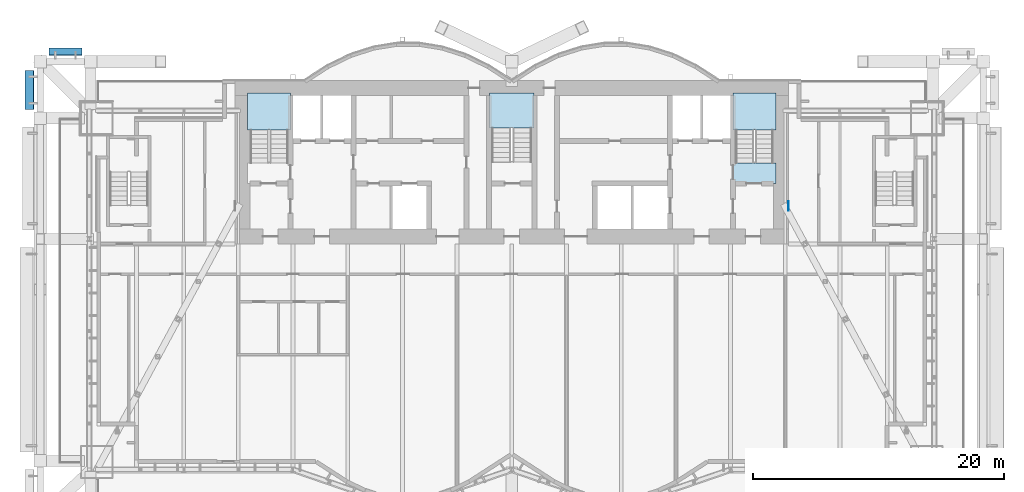
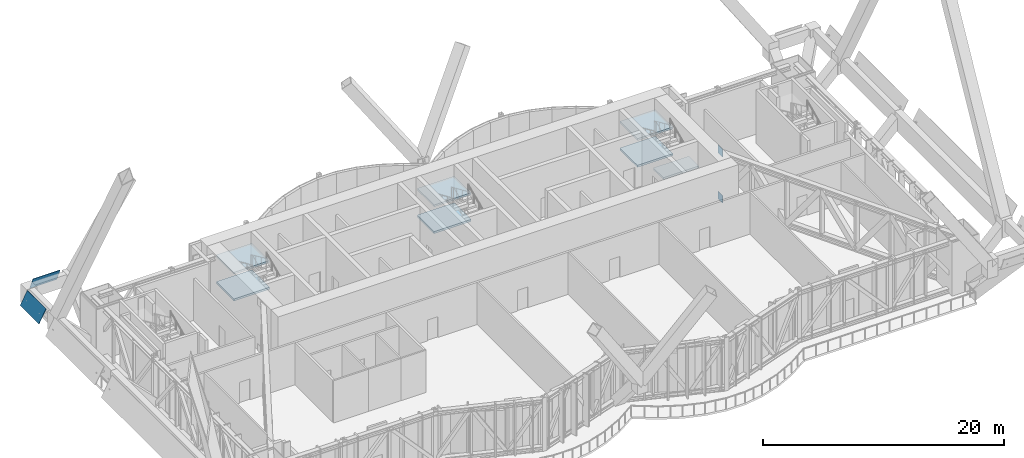
# One storey, part 21 of 30: 7 slabs, 4 plates, 3 elements without a shape of their own.
"""IFC4 building model written with IfcOpenShell, lengths in metres."""

from ifc_helpers import new_model, si_unit, direction, frame, origin, origin_2d, place, context, subcontext, project, spatial, polyline, rectangle, outline, extrude, material, layer, layer_set, type_object, element, aggregate, save


model = new_model("IFC4")

# Units and contexts
model_context = context("Model", 3, precision=1e-05, world=origin(), true_north=direction((0.0, 1.0)))
body_context = subcontext(model_context, "Body", "Model", "MODEL_VIEW")
ifc_project = project(units=[si_unit("LENGTHUNIT", "METRE"), si_unit("AREAUNIT", "SQUARE_METRE"), si_unit("VOLUMEUNIT", "CUBIC_METRE"), si_unit("PLANEANGLEUNIT", "RADIAN"), si_unit("MASSUNIT", "GRAM", prefix="KILO")], contexts=[model_context])

# Site, building, storey
site_placement = place(None, origin())
site = spatial("IfcSite", under=ifc_project, at=site_placement, CompositionType="ELEMENT")
building_placement = place(site_placement, origin())
building = spatial("IfcBuilding", under=site, at=building_placement, Name="Bicima Exchange Tower", CompositionType="ELEMENT")
storey_placement = place(building_placement, frame((0.0, 0.0, 185.5)))
storey = spatial("IfcBuildingStorey", under=building, at=storey_placement, Name="L41", CompositionType="ELEMENT", Elevation=185.5)

# Plates
ifc_material_1 = material(Name="Dark tinted spandrel glass", Category="glass")
ifc_layer_1 = layer(ifc_material_1, 0.0400390625)
ifc_layer_set_1 = layer_set([ifc_layer_1], Name="Dark tinted spandrel glass")
plate_type_1 = type_object("IfcPlateType", Name="Belt fascia glass panel 40", PredefinedType="SHEET", material=ifc_layer_set_1)
plate_1_placement = place(storey_placement, frame((-34.199951171875, 2.576416015625, 4.050048828125), z_axis=(0.0, 0.919715682457, 0.39258510344), x_axis=(-1.0, 0.0, 0.0)))
element("IfcPlate", 1, at=plate_1_placement, inside=storey, type_object=plate_type_1, Name="Belt fascia glass panel", PredefinedType="SHEET", context=body_context, shape_type="SweptSolid", body=[
    extrude(outline(polyline([(0.0, 0.0), (2.60009765625, 0.0), (2.60009765625, 1.3917663048388182), (0.0, 1.3917663048388182), (0.0, 0.0)])), origin(), (0.0, 0.0, -1.0), 0.0400390625),
])
plate_2_placement = place(storey_placement, frame((-38.732421875, 0.800048828125, 4.050048828125), z_axis=(-0.876685030348, 0.0, 0.481064816386), x_axis=(0.0, -1.0, 0.0)))
element("IfcPlate", 2, at=plate_2_placement, inside=storey, type_object=plate_type_1, Name="Belt fascia glass panel", PredefinedType="SHEET", context=body_context, shape_type="SweptSolid", body=[
    extrude(outline(polyline([(0.0, 0.0), (3.10009765625, 0.0), (3.10009765625, 1.4600788796032191), (0.0, 1.4600788796032191), (0.0, 0.0)])), origin(), (0.0, 0.0, -1.0), 0.0400390625),
])
ifc_material_2 = material(Name="Steel ASTM A572 Gr 50", Category="steel")
ifc_layer_2 = layer(ifc_material_2, 0.0400390625)
ifc_layer_set_2 = layer_set([ifc_layer_2], Name="Steel ASTM A572 Gr 50")
plate_type_2 = type_object("IfcPlateType", Name="Cast-in plate 40", PredefinedType="SHEET", material=ifc_layer_set_2)
for number, where, z_axis, x_axis, name in (
    (3, (22.02001953125, -10.0, 4.5810546875), (0.0, 0.0, 1.0), (1.0, 0.0, 0.0), "Cast-in plate at core wall"),
    (4, (22.02001953125, -10.0, -0.10009765625), (0.0, 0.0, 1.0), (1.0, 0.0, 0.0), "Cast-in plate at core wall"),
):
    element("IfcPlate", number, at=place(storey_placement, frame(where, z_axis=z_axis, x_axis=x_axis)), inside=storey, type_object=plate_type_2, Name=name, PredefinedType="SHEET", context=body_context, shape_type="SweptSolid", body=[
        extrude(rectangle(XDim=0.0400390625, YDim=0.754638671875, at=origin_2d()), origin(), (0.0, 0.0, 1.0), 0.76904296875),
    ])

# Stair, slabs
ifc_material_3 = material(Name="Concrete C50/60", Category="concrete")
stair_type_1 = type_object("IfcStairType", Name="Exit stair", PredefinedType="HALF_TURN_STAIR", material=ifc_material_3)
stair_1_placement = place(storey_placement, origin())
stair_1 = element("IfcStair", 5, at=stair_1_placement, inside=storey, type_object=stair_type_1, Name="L41 West exit stair", PredefinedType="HALF_TURN_STAIR")
ifc_layer_3 = layer(ifc_material_3, 0.199951171875)
ifc_layer_set_3 = layer_set([ifc_layer_3], Name="Concrete C50/60")
slab_type = type_object("IfcSlabType", Name="Stair landing slab", PredefinedType="LANDING", material=ifc_layer_set_3)
slab_1_placement = place(storey_placement, frame((0.0, 0.0, 1.14990234375)))
slab_1 = element("IfcSlab", 6, at=slab_1_placement, type_object=slab_type, Name="ST-W landing 1", PredefinedType="LANDING", context=body_context, shape_type="SweptSolid", body=[
    extrude(outline(polyline([(-17.60009765625, -3.919921875), (-17.60009765625, -1.0), (-21.0, -1.0), (-21.0, -3.919921875), (-17.60009765625, -3.919921875)])), origin(), (0.0, 0.0, 1.0), 0.2001953125),
])
slab_2_placement = place(storey_placement, frame((0.0, 0.0, 3.85009765625)))
slab_2 = element("IfcSlab", 7, at=slab_2_placement, type_object=slab_type, Name="ST-W landing 3", PredefinedType="LANDING", context=body_context, shape_type="SweptSolid", body=[
    extrude(outline(polyline([(-17.60009765625, -3.919921875), (-17.60009765625, -1.0), (-21.0, -1.0), (-21.0, -3.919921875), (-17.60009765625, -3.919921875)])), origin(), (0.0, 0.0, 1.0), 0.199951171875),
])
aggregate(stair_1, [slab_1, slab_2])

stair_type_2 = type_object("IfcStairType", Name="Exit stair 1500", PredefinedType="HALF_TURN_STAIR", material=ifc_material_3)
stair_2_placement = place(storey_placement, origin())
stair_2 = element("IfcStair", 8, at=stair_2_placement, inside=storey, type_object=stair_type_2, Name="L41 Central exit stair", PredefinedType="HALF_TURN_STAIR")
slab_3_placement = place(storey_placement, frame((0.0, 0.0, 1.14990234375)))
slab_3 = element("IfcSlab", 9, at=slab_3_placement, type_object=slab_type, Name="ST-C landing 1", PredefinedType="LANDING", context=body_context, shape_type="SweptSolid", body=[
    extrude(outline(polyline([(1.77490234375, -3.780029296875), (1.77490234375, -1.0), (-1.77490234375, -1.0), (-1.77490234375, -3.780029296875), (1.77490234375, -3.780029296875)])), origin(), (0.0, 0.0, 1.0), 0.2001953125),
])
slab_4_placement = place(storey_placement, frame((0.0, 0.0, 3.85009765625)))
slab_4 = element("IfcSlab", 10, at=slab_4_placement, type_object=slab_type, Name="ST-C landing 3", PredefinedType="LANDING", context=body_context, shape_type="SweptSolid", body=[
    extrude(outline(polyline([(1.77490234375, -3.780029296875), (1.77490234375, -1.0), (-1.77490234375, -1.0), (-1.77490234375, -3.780029296875), (1.77490234375, -3.780029296875)])), origin(), (0.0, 0.0, 1.0), 0.199951171875),
])
aggregate(stair_2, [slab_3, slab_4])

stair_3_placement = place(storey_placement, origin())
stair_3 = element("IfcStair", 11, at=stair_3_placement, inside=storey, type_object=stair_type_1, Name="L41 East exit stair", PredefinedType="HALF_TURN_STAIR")
slab_5_placement = place(storey_placement, frame((0.0, 0.0, 1.14990234375)))
slab_5 = element("IfcSlab", 12, at=slab_5_placement, type_object=slab_type, Name="ST-E landing 1", PredefinedType="LANDING", context=body_context, shape_type="SweptSolid", body=[
    extrude(outline(polyline([(21.0, -3.919921875), (21.0, -1.0), (17.60009765625, -1.0), (17.60009765625, -3.919921875), (21.0, -3.919921875)])), origin(), (0.0, 0.0, 1.0), 0.2001953125),
])
slab_6_placement = place(storey_placement, frame((0.0, 0.0, 2.5)))
slab_6 = element("IfcSlab", 13, at=slab_6_placement, type_object=slab_type, Name="ST-E landing 2", PredefinedType="LANDING", context=body_context, shape_type="SweptSolid", body=[
    extrude(outline(polyline([(21.0, -8.199951171875), (21.0, -6.550048828125), (17.60009765625, -6.550048828125), (17.60009765625, -8.199951171875), (21.0, -8.199951171875)])), origin(), (0.0, 0.0, 1.0), 0.199951171875),
])
slab_7_placement = place(storey_placement, frame((0.0, 0.0, 3.85009765625)))
slab_7 = element("IfcSlab", 14, at=slab_7_placement, type_object=slab_type, Name="ST-E landing 3", PredefinedType="LANDING", context=body_context, shape_type="SweptSolid", body=[
    extrude(outline(polyline([(21.0, -3.919921875), (21.0, -1.0), (17.60009765625, -1.0), (17.60009765625, -3.919921875), (21.0, -3.919921875)])), origin(), (0.0, 0.0, 1.0), 0.199951171875),
])
aggregate(stair_3, [slab_5, slab_6, slab_7])

save(model, "model.ifc")
